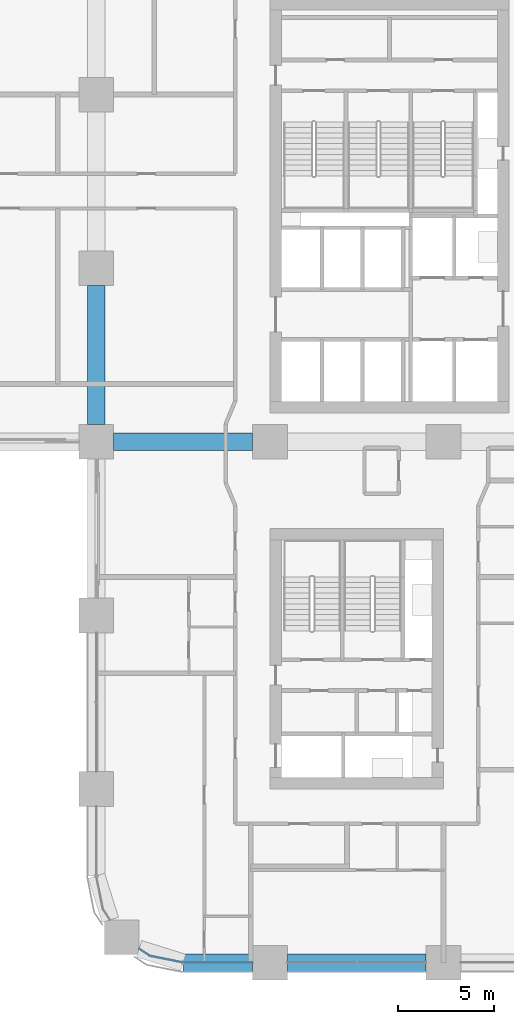
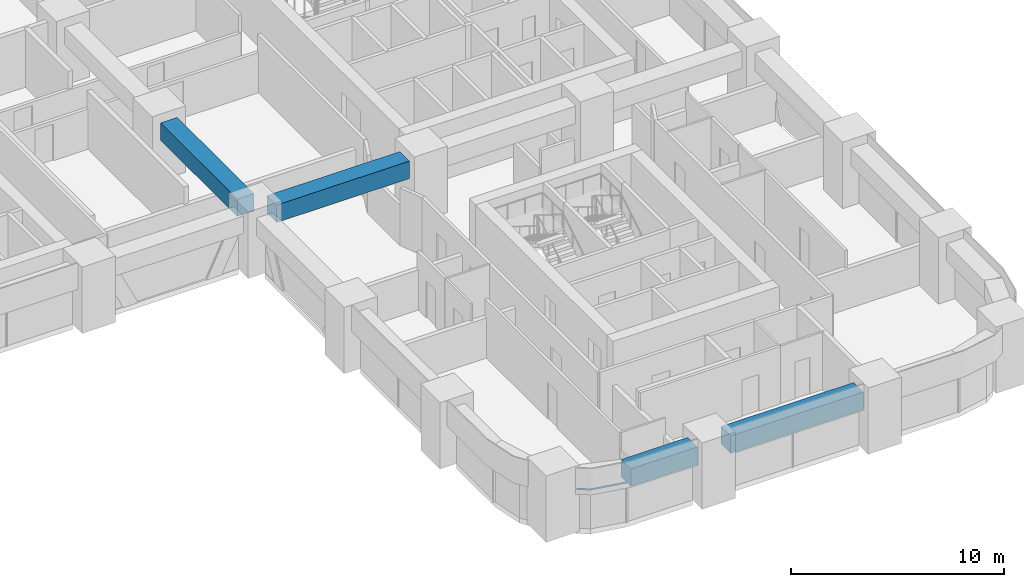
# One storey, part 4 of 20: 4 beams, 1 member, 1 element without a shape of its own.
"""IFC4 building model written with IfcOpenShell, lengths in metres."""

import ifcopenshell
import ifcopenshell.guid

model = None  # the IFC model being written
_history = None  # IfcOwnerHistory: only IFC2X3 demands one
_inside = {}  # id of a spatial element -> (the spatial element, [elements in it])
_under = {}  # id of a project, library or spatial element -> (it, [spatial elements below it])
_declared = {}  # id of a project -> (the project, [libraries it declares])
_typed = {}  # id of a type object -> (the type object, [elements of that type])
_made_of = {}  # id of a material, layer set ... -> (it, [elements and type objects made of it])


def new_model(schema):
    """Start an empty IFC model of exactly this schema.

    Asked for "IFC4X3", IfcOpenShell would pick the latest addendum, in which some entities
    have other attributes; the version numbers below select the first issue.
    IFC2X3 requires an IfcOwnerHistory on every rooted entity: one is made here for all.
    """
    global model, _history
    if schema == "IFC4X3":
        model = ifcopenshell.file(schema_version=(4, 3, 0, 0))
    else:
        model = ifcopenshell.file(schema=schema)
    _inside.clear()
    _under.clear()
    _declared.clear()
    _typed.clear()
    _made_of.clear()
    _history = None
    if model.schema == "IFC2X3":
        org = make("IfcOrganization", Name="unknown")
        user = make(
            "IfcPersonAndOrganization",
            ThePerson=make("IfcPerson", FamilyName="unknown"),
            TheOrganization=org,
        )
        app = make(
            "IfcApplication",
            ApplicationDeveloper=org,
            Version="unknown",
            ApplicationFullName="unknown",
            ApplicationIdentifier="unknown",
        )
        _history = make(
            "IfcOwnerHistory",
            OwningUser=user,
            OwningApplication=app,
            ChangeAction="ADDED",
            CreationDate=0,
        )
    return model


def make(cls, **values):
    """One entity of the class cls with the attributes given. An attribute that is None is left unset."""
    return model.create_entity(
        cls, **{name: value for name, value in values.items() if value is not None}
    )


def rooted(cls, **values):
    """An entity with a GlobalId (a new one), such as an element, a storey or a relation."""
    return make(cls, GlobalId=ifcopenshell.guid.new(), OwnerHistory=_history, **values)


def si_unit(unit_type, name, prefix=None):
    """IfcSIUnit, for example si_unit("LENGTHUNIT", "METRE", prefix="MILLI")."""
    return make("IfcSIUnit", UnitType=unit_type, Prefix=prefix, Name=name)


def assignment(units):
    """IfcUnitAssignment: the units of a project."""
    return None if units is None else make("IfcUnitAssignment", Units=units)


def point(xyz):
    """IfcCartesianPoint."""
    return None if xyz is None else make("IfcCartesianPoint", Coordinates=xyz)


def direction(xyz):
    """IfcDirection."""
    return None if xyz is None else make("IfcDirection", DirectionRatios=xyz)


def frame(location, z_axis=None, x_axis=None):
    """IfcAxis2Placement3D, a coordinate frame: its origin and axes. An axis left out is left unset."""
    return make(
        "IfcAxis2Placement3D",
        Location=point(location),
        Axis=direction(z_axis),
        RefDirection=direction(x_axis),
    )


def frame_2d(location, x_axis=None):
    """IfcAxis2Placement2D, a coordinate frame in the plane: its origin and x axis."""
    return make(
        "IfcAxis2Placement2D", Location=point(location), RefDirection=direction(x_axis)
    )


def origin():
    """The frame at (0, 0, 0) with its axes left unset."""
    return frame((0.0, 0.0, 0.0))


def origin_2d():
    """The frame at (0, 0) in the plane with its x axis left unset."""
    return frame_2d((0.0, 0.0))


def place(relative_to, where):
    """IfcLocalPlacement: puts the frame where relative to a parent placement (None: the world)."""
    return make(
        "IfcLocalPlacement", PlacementRelTo=relative_to, RelativePlacement=where
    )


def context(
    kind, dimensions, precision=None, world=None, true_north=None, identifier=None
):
    """IfcGeometricRepresentationContext, for example the 3D "Model" context."""
    return make(
        "IfcGeometricRepresentationContext",
        ContextIdentifier=identifier,
        ContextType=kind,
        CoordinateSpaceDimension=dimensions,
        Precision=precision,
        WorldCoordinateSystem=world,
        TrueNorth=true_north,
    )


def subcontext(parent, identifier, kind, view, scale=None):
    """IfcGeometricRepresentationSubContext, for example "Body" below "Model"."""
    return make(
        "IfcGeometricRepresentationSubContext",
        ContextIdentifier=identifier,
        ContextType=kind,
        ParentContext=parent,
        TargetScale=scale,
        TargetView=view,
    )


def project(units=None, contexts=None):
    """IfcProject with its units and contexts."""
    return rooted(
        "IfcProject",
        Name="project",
        RepresentationContexts=contexts,
        UnitsInContext=assignment(units),
    )


def spatial(cls, under=None, at=None, **own):
    """A site, building, storey or space (cls), placed at a placement, below another one or the project."""
    s = rooted(cls, ObjectPlacement=at, **own)
    if under is not None:
        _under.setdefault(under.id(), (under, []))[1].append(s)
    return s


def polyline(points):
    """IfcPolyline through the points."""
    return make("IfcPolyline", Points=[point(p) for p in points])


def profile(cls, at=None, kind="AREA", **sizes):
    """A parametric profile (cls). Its sizes go by their IFC names, for example OverallWidth=200.0."""
    return make(cls, ProfileType=kind, Position=at, **sizes)


def rectangle(**sizes):
    """IfcRectangleProfileDef."""
    return profile("IfcRectangleProfileDef", **sizes)


def outline(outer, holes=None, kind="AREA"):
    """IfcArbitraryClosedProfileDef: a profile drawn as a closed curve; with holes, ...WithVoids."""
    if holes is None:
        return make("IfcArbitraryClosedProfileDef", ProfileType=kind, OuterCurve=outer)
    return make(
        "IfcArbitraryProfileDefWithVoids",
        ProfileType=kind,
        OuterCurve=outer,
        InnerCurves=holes,
    )


def extrude(swept, where, along, depth):
    """IfcExtrudedAreaSolid: the profile swept, set in the frame where, extruded along a direction by depth."""
    return make(
        "IfcExtrudedAreaSolid",
        SweptArea=swept,
        Position=where,
        ExtrudedDirection=direction(along),
        Depth=depth,
    )


def shape(context_of_items, identifier, shape_type, items):
    """IfcShapeRepresentation: the items that make up one representation, for example the "Body"."""
    return make(
        "IfcShapeRepresentation",
        ContextOfItems=context_of_items,
        RepresentationIdentifier=identifier,
        RepresentationType=shape_type,
        Items=items,
    )


def material(Name=None, Category=None):
    """IfcMaterial."""
    return make("IfcMaterial", Name=Name, Category=Category)


def material_profile(
    of_material, cross_section, Name=None, Category=None, Priority=None
):
    """IfcMaterialProfile: a cross section and its material."""
    return make(
        "IfcMaterialProfile",
        Name=Name,
        Material=of_material,
        Profile=cross_section,
        Priority=Priority,
        Category=Category,
    )


def profile_set(profiles, Name=None, composite=None):
    """IfcMaterialProfileSet."""
    return make(
        "IfcMaterialProfileSet",
        Name=Name,
        MaterialProfiles=profiles,
        CompositeProfile=composite,
    )


def made_of(thing, what):
    """Note that an element or type object is made of a material, layer set ...; save() writes the relation."""
    if what is not None:
        _made_of.setdefault(what.id(), (what, []))[1].append(thing)
    return thing


def type_object(cls, material=None, **own):
    """A type object (cls), such as IfcWallType, which elements share."""
    return made_of(rooted(cls, **own), material)


def element(
    cls,
    number,
    at=None,
    inside=None,
    cuts=None,
    type_object=None,
    material=None,
    context=None,
    identifier="Body",
    shape_type=None,
    held_by="IfcProductDefinitionShape",
    body=None,
    shapes=None,
    **own,
):
    """One element of the class cls, such as IfcWall. Its Tag is "e" and its number.

    at: its placement. inside: the storey or other place that contains it. cuts: it is an
    opening in that element (IfcRelVoidsElement). A single representation is given by context,
    identifier, shape_type and body (its items); several are given by shapes. held_by: the class
    of the entity that holds the representations. save() writes the other relations.
    """
    e = rooted(cls, Tag="e%d" % number, ObjectPlacement=at, **own)
    if body is not None:
        shapes = [shape(context, identifier, shape_type, body)]
    if shapes is not None:
        e.Representation = make(held_by, Representations=shapes)
    if inside is not None:
        _inside.setdefault(inside.id(), (inside, []))[1].append(e)
    if cuts is not None:
        rooted(
            "IfcRelVoidsElement", RelatingBuildingElement=cuts, RelatedOpeningElement=e
        )
    if type_object is not None:
        _typed.setdefault(type_object.id(), (type_object, []))[1].append(e)
    return made_of(e, material)


def aggregate(whole, parts):
    """IfcRelAggregates: a whole, such as a stair, and the parts it consists of."""
    return rooted("IfcRelAggregates", RelatingObject=whole, RelatedObjects=parts)


def save(model, path):
    """Write the relations noted so far, then the file.

    IfcRelAggregates (storeys below a building ...), IfcRelContainedInSpatialStructure (elements
    in a storey), IfcRelDefinesByType, IfcRelAssociatesMaterial and IfcRelDeclares: one each for
    every whole, place, type object, material and project.
    """
    for whole, parts in _under.values():
        aggregate(whole, parts)
    for where, things in _inside.values():
        rooted(
            "IfcRelContainedInSpatialStructure",
            RelatedElements=things,
            RelatingStructure=where,
        )
    for kind, things in _typed.values():
        rooted("IfcRelDefinesByType", RelatedObjects=things, RelatingType=kind)
    for what, things in _made_of.values():
        rooted("IfcRelAssociatesMaterial", RelatedObjects=things, RelatingMaterial=what)
    for by, libraries in _declared.values():
        rooted("IfcRelDeclares", RelatingContext=by, RelatedDefinitions=libraries)
    model.write(path)


model = new_model("IFC4")

# Units and contexts
model_context = context("Model", 3, precision=1e-05, world=origin(), true_north=direction((0.0, 1.0)))
body_context = subcontext(model_context, "Body", "Model", "MODEL_VIEW")
ifc_project = project(units=[si_unit("LENGTHUNIT", "METRE"), si_unit("AREAUNIT", "SQUARE_METRE"), si_unit("VOLUMEUNIT", "CUBIC_METRE"), si_unit("PLANEANGLEUNIT", "RADIAN"), si_unit("MASSUNIT", "GRAM", prefix="KILO")], contexts=[model_context])

# Site, building, storey
site_placement = place(None, origin())
site = spatial("IfcSite", under=ifc_project, at=site_placement, CompositionType="ELEMENT")
building_placement = place(site_placement, origin())
building = spatial("IfcBuilding", under=site, at=building_placement, Name="Tessera Arch", CompositionType="ELEMENT")
storey_placement = place(building_placement, frame((0.0, 0.0, 119.60009765625)))
storey = spatial("IfcBuildingStorey", under=building, at=storey_placement, Name="L28", CompositionType="ELEMENT", Elevation=119.60009765625)

# Curtain wall, member
ifc_material_1 = material(Name="CW2 curtain wall")
curtain_wall_type = type_object("IfcCurtainWallType", Name="CW2 curtain wall", PredefinedType="NOTDEFINED", material=ifc_material_1)
curtain_wall_placement = place(storey_placement, origin())
curtain_wall = element("IfcCurtainWall", 1, at=curtain_wall_placement, inside=storey, type_object=curtain_wall_type, Name="CW2 curtain wall S0.27/0 L28", PredefinedType="NOTDEFINED")
ifc_material_2 = material(Name="Anodised aluminium pale metal", Category="aluminium")
ifc_material_profile_1 = material_profile(ifc_material_2, rectangle(XDim=0.199951171875, YDim=0.10009765625, at=origin_2d()), Name="AL 200x100")
ifc_profile_set_1 = profile_set([ifc_material_profile_1], Name="Anodised aluminium pale metal")
member_type = type_object("IfcMemberType", Name="CW2 transom", PredefinedType="USERDEFINED", material=ifc_profile_set_1)
member_placement = place(storey_placement, frame((0.0, 0.0, 2.199951171875)))
member = element("IfcMember", 2, at=member_placement, type_object=member_type, Name="CW2 transom S0.27/0 1", ObjectType="TRANSOM", PredefinedType="USERDEFINED", context=body_context, shape_type="SweptSolid", body=[
    extrude(outline(polyline([(29.78173828125, 0.351806640625), (29.2236328125, 0.72509765625), (29.21240234375, 0.70849609375), (29.77392578125, 0.3330078125), (31.4990234375, -0.010009765625), (35.10009765625, -0.010009765625), (35.10009765625, 0.010009765625), (31.5009765625, 0.010009765625), (29.78173828125, 0.351806640625)])), origin(), (0.0, 0.0, 1.0), 0.099853515625),
])
aggregate(curtain_wall, [member])

# Beams
ifc_material_3 = material(Name="Concrete C80/95", Category="concrete")
ifc_material_profile_2 = material_profile(ifc_material_3, rectangle(XDim=0.89990234375, YDim=1.0, at=origin_2d()), Name="RC spandrel beam 900 x 1000 Concrete C80/95")
ifc_profile_set_2 = profile_set([ifc_material_profile_2], Name="Concrete C80/95")
beam_type = type_object("IfcBeamType", Name="RC spandrel beam 900 x 1000 Concrete C80/95", PredefinedType="BEAM", material=ifc_profile_set_2)
beam_placement = place(storey_placement, frame((31.5, 0.0, 2.7998046875), z_axis=(1.0, 0.0, 0.0), x_axis=(0.0, 1.0, 0.0)))
element("IfcBeam", 3, at=beam_placement, inside=storey, type_object=beam_type, Name="Spandrel beam L28 S0.27/0.2", PredefinedType="BEAM", context=body_context, shape_type="SweptSolid", body=[
    extrude(rectangle(XDim=0.89990234375, YDim=1.0, at=origin_2d()), origin(), (0.0, 0.0, 1.0), 3.60009765625),
])
for number, where, z_axis, x_axis, name in (
    (4, (36.89990234375, 0.0, 2.7998046875), (1.0, 0.0, 0.0), (0.0, 1.0, 0.0), "Spandrel beam L28 S0.27/1"),
    (5, (27.0, 27.89990234375, 2.7998046875), (0.0, 1.0, 0.0), (-1.0, 0.0, 0.0), "Interface beam L28 I0C4D-C4E"),
    (6, (27.89990234375, 27.0, 2.7998046875), (1.0, 0.0, 0.0), (0.0, 1.0, 0.0), "Interface beam L28 I1C4D-C5D"),
):
    element("IfcBeam", number, at=place(storey_placement, frame(where, z_axis=z_axis, x_axis=x_axis)), inside=storey, type_object=beam_type, Name=name, PredefinedType="BEAM", context=body_context, shape_type="SweptSolid", body=[
        extrude(rectangle(XDim=0.89990234375, YDim=1.0, at=origin_2d()), origin(), (0.0, 0.0, 1.0), 7.2001953125),
    ])

save(model, "model.ifc")
